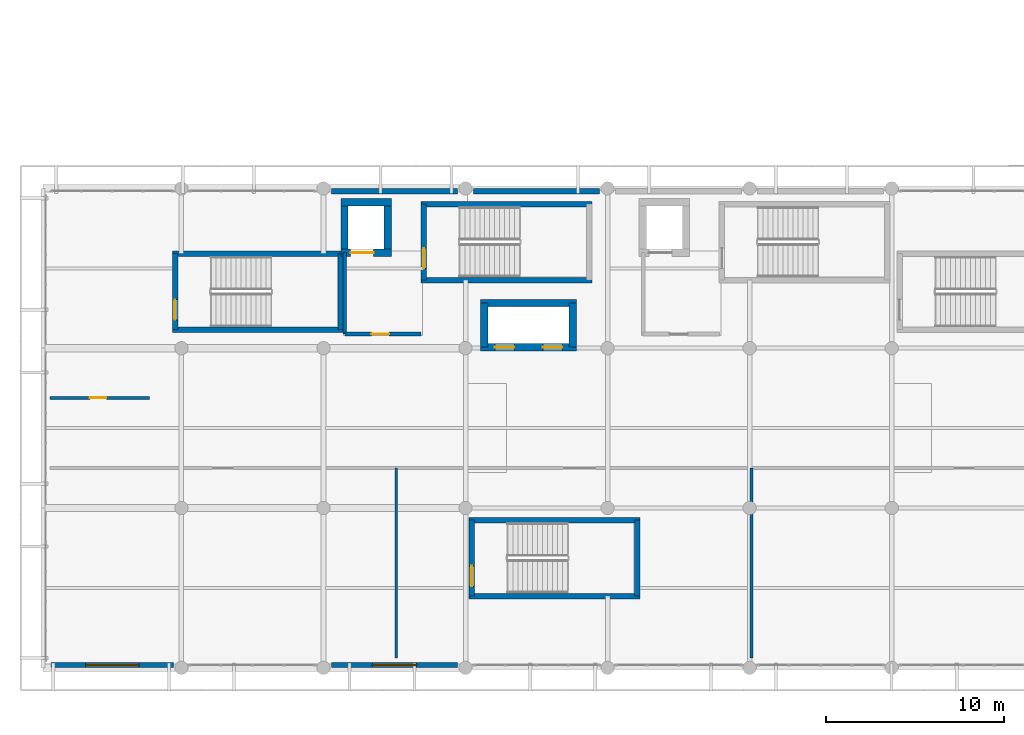
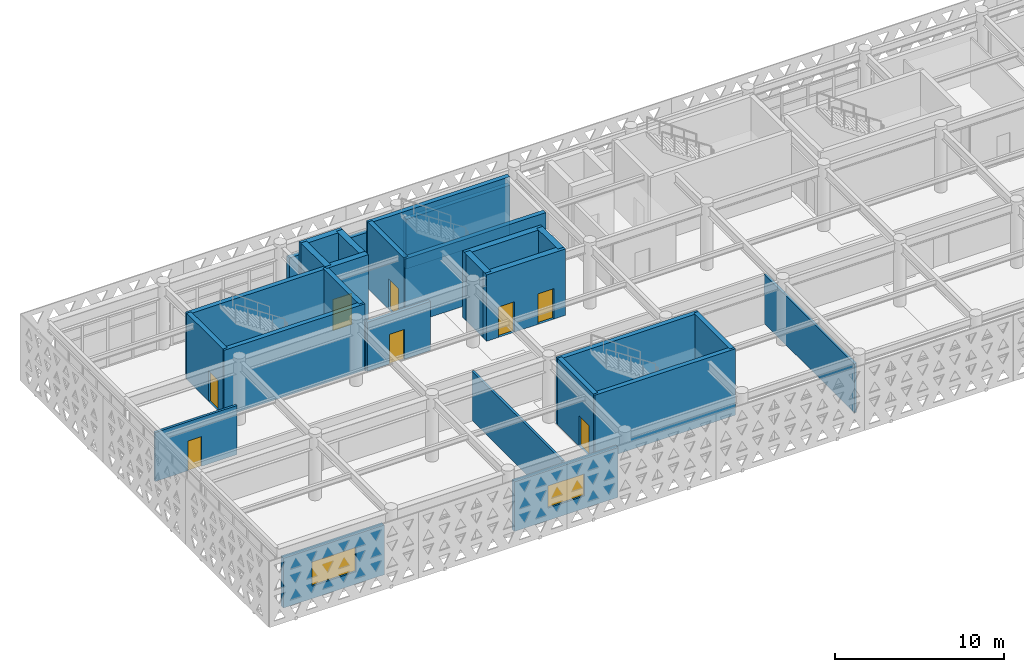
# One storey, part 21 of 33: 28 walls, 8 doors, 2 windows, 10 openings.
"""IFC4 building model written with IfcOpenShell, lengths in metres."""

from ifc_helpers import new_model, si_unit, direction, frame, frame_2d, origin, place, context, subcontext, project, spatial, rectangle, extrude, material, layer, layer_set, type_object, element, fill, save


model = new_model("IFC4")

# Units and contexts
model_context = context("Model", 3, precision=1e-05, world=origin(), true_north=direction((0.0, 1.0)))
body_context = subcontext(model_context, "Body", "Model", "MODEL_VIEW")
ifc_project = project(units=[si_unit("LENGTHUNIT", "METRE"), si_unit("AREAUNIT", "SQUARE_METRE"), si_unit("VOLUMEUNIT", "CUBIC_METRE"), si_unit("PLANEANGLEUNIT", "RADIAN"), si_unit("MASSUNIT", "GRAM", prefix="KILO")], contexts=[model_context])

# Site, building, storey
site_placement = place(None, origin())
site = spatial("IfcSite", under=ifc_project, at=site_placement, CompositionType="ELEMENT")
building_placement = place(site_placement, origin())
building = spatial("IfcBuilding", under=site, at=building_placement, Name="Tlacozan Convention Centre", CompositionType="ELEMENT")
storey_placement = place(building_placement, frame((0.0, 0.0, 16.199951171875)))
storey = spatial("IfcBuildingStorey", under=building, at=storey_placement, Name="L03", CompositionType="ELEMENT", Elevation=16.199951171875)

# Wall, opening, window
ifc_material_1 = material(Name="Volcanic Cantera Stone Masonry", Category="masonry")
ifc_layer_1 = layer(ifc_material_1, 0.300048828125)
ifc_layer_set_1 = layer_set([ifc_layer_1], Name="Volcanic Cantera Stone Masonry")
wall_type_1 = type_object("IfcWallType", Name="Congress Spandrel Backup Wall 300", PredefinedType="SOLIDWALL", material=ifc_layer_set_1)
wall_1_placement = place(storey_placement, frame((0.64990234375, 0.159912109375, 0.0), z_axis=(0.0, 0.0, 1.0), x_axis=(1.0, 0.0, 0.0)))
wall_1 = element("IfcWall", 1, at=wall_1_placement, inside=storey, type_object=wall_type_1, Name="L03 Congress Spandrel Backup Wall 300 124", PredefinedType="SOLIDWALL", context=body_context, shape_type="SweptSolid", body=[
    extrude(rectangle(XDim=6.900146484375, YDim=0.300048828125, at=frame_2d((3.4501953125, 0.0))), origin(), (0.0, 0.0, 1.0), 3.60009765625),
])
opening_1_placement = place(wall_1_placement, frame((1.949951171875, 0.0, 0.89990234375)))
opening_1 = element("IfcOpeningElement", 2, at=opening_1_placement, cuts=wall_1, Name="Opening WN-17", PredefinedType="OPENING", context=body_context, shape_type="SweptSolid", body=[
    extrude(rectangle(XDim=3.0, YDim=1.75, at=frame_2d((1.5, 0.875))), frame((0.0, 0.159912109375, 0.0), z_axis=(0.0, -1.0, 0.0), x_axis=(1.0, 0.0, 0.0)), (0.0, 0.0, 1.0), 0.320068359375),
])
ifc_material_2 = material(Name="Solar Control Double Low-E Argon Glazing", Category="glass")
window_type_1 = type_object("IfcWindowType", Name="Press Suite Acoustic Window 3000x1750", PartitioningType="SINGLE_PANEL", PredefinedType="WINDOW", material=ifc_material_2)
window_1_placement = place(opening_1_placement, origin())
window_1 = element("IfcWindow", 3, at=window_1_placement, inside=storey, type_object=window_type_1, Name="L03 Press Suite Acoustic Window 3000x1750 49", OverallHeight=1.75, OverallWidth=3.0, PartitioningType="SINGLE_PANEL", PredefinedType="WINDOW", context=body_context, shape_type="SweptSolid", body=[
    extrude(rectangle(XDim=3.0, YDim=1.75, at=frame_2d((1.5, 0.875))), frame((0.0, 0.030029296875, 0.0), z_axis=(0.0, -1.0, 0.0), x_axis=(1.0, 0.0, 0.0)), (0.0, 0.0, 1.0), 0.06005859375),
])
fill(opening_1, window_1)

wall_2_placement = place(storey_placement, frame((16.449951171875, 0.159912109375, 0.0), z_axis=(0.0, 0.0, 1.0), x_axis=(1.0, 0.0, 0.0)))
wall_2 = element("IfcWall", 4, at=wall_2_placement, inside=storey, type_object=wall_type_1, Name="L03 Congress Spandrel Backup Wall 300 125", PredefinedType="SOLIDWALL", context=body_context, shape_type="SweptSolid", body=[
    extrude(rectangle(XDim=7.10009765625, YDim=0.300048828125, at=frame_2d((3.550048828125, 0.0))), origin(), (0.0, 0.0, 1.0), 3.60009765625),
])
opening_2_placement = place(wall_2_placement, frame((2.300048828125, 0.0, 0.89990234375)))
opening_2 = element("IfcOpeningElement", 5, at=opening_2_placement, cuts=wall_2, Name="Opening WN-18", PredefinedType="OPENING", context=body_context, shape_type="SweptSolid", body=[
    extrude(rectangle(XDim=2.5, YDim=1.60009765625, at=frame_2d((1.25, 0.800048828125))), frame((0.0, 0.159912109375, 0.0), z_axis=(0.0, -1.0, 0.0), x_axis=(1.0, 0.0, 0.0)), (0.0, 0.0, 1.0), 0.320068359375),
])
window_type_2 = type_object("IfcWindowType", Name="Media Studio Acoustic Window 2500x1600", PartitioningType="SINGLE_PANEL", PredefinedType="WINDOW", material=ifc_material_2)
window_2_placement = place(opening_2_placement, origin())
window_2 = element("IfcWindow", 6, at=window_2_placement, inside=storey, type_object=window_type_2, Name="L03 Media Studio Acoustic Window 2500x1600 50", OverallHeight=1.60009765625, OverallWidth=2.5, PartitioningType="SINGLE_PANEL", PredefinedType="WINDOW", context=body_context, shape_type="SweptSolid", body=[
    extrude(rectangle(XDim=2.5, YDim=1.60009765625, at=frame_2d((1.25, 0.800048828125))), frame((0.0, 0.030029296875, 0.0), z_axis=(0.0, -1.0, 0.0), x_axis=(1.0, 0.0, 0.0)), (0.0, 0.0, 1.0), 0.06005859375),
])
fill(opening_2, window_2)

# Walls
for number, where, z_axis, x_axis, name in (
    (7, (16.449951171875, 26.840087890625, 0.0), (0.0, 0.0, 1.0), (1.0, 0.0, 0.0), "L03 Congress Spandrel Backup Wall 300 126"),
    (8, (24.449951171875, 26.840087890625, 0.0), (0.0, 0.0, 1.0), (1.0, 0.0, 0.0), "L03 Congress Spandrel Backup Wall 300 127"),
):
    element("IfcWall", number, at=place(storey_placement, frame(where, z_axis=z_axis, x_axis=x_axis)), inside=storey, type_object=wall_type_1, Name=name, PredefinedType="SOLIDWALL", context=body_context, shape_type="SweptSolid", body=[
        extrude(rectangle(XDim=7.10009765625, YDim=0.300048828125, at=frame_2d((3.550048828125, 0.0))), origin(), (0.0, 0.0, 1.0), 3.60009765625),
    ])

# Wall, opening, door
ifc_material_3 = material(Name="Concrete C40/50", Category="concrete")
ifc_layer_2 = layer(ifc_material_3, 0.409912109375)
ifc_layer_set_2 = layer_set([ifc_layer_2], Name="Concrete C40/50")
wall_type_2 = type_object("IfcWallType", Name="Core Shear Wall RC 410", PredefinedType="SHEAR", material=ifc_layer_set_2)
wall_3_placement = place(storey_placement, frame((16.97509765625, 23.3798828125, 0.0), z_axis=(0.0, 0.0, 1.0), x_axis=(1.0, 0.0, 0.0)))
wall_3 = element("IfcWall", 9, at=wall_3_placement, inside=storey, type_object=wall_type_2, Name="L03 Core Shear Wall RC 410 63", PredefinedType="SHEAR", context=body_context, shape_type="SweptSolid", body=[
    extrude(rectangle(XDim=2.849853515625, YDim=0.409912109375, at=frame_2d((1.4248046875, 0.0))), origin(), (0.0, 0.0, 1.0), 4.800048828125),
])
opening_3_placement = place(wall_3_placement, frame((0.550048828125, 0.0, 0.0)))
opening_3 = element("IfcOpeningElement", 10, at=opening_3_placement, cuts=wall_3, Name="Opening LD-02", PredefinedType="OPENING", context=body_context, shape_type="SweptSolid", body=[
    extrude(rectangle(XDim=1.300048828125, YDim=2.25, at=frame_2d((0.64990234375, 1.125))), frame((0.0, 0.21484375, 0.0), z_axis=(0.0, -1.0, 0.0), x_axis=(1.0, 0.0, 0.0)), (0.0, 0.0, 1.0), 0.429931640625),
])
ifc_material_4 = material(Name="Brushed Stainless Steel Sliding Landing Door", Category="steel")
door_type_1 = type_object("IfcDoorType", Name="Firefighting Lift Sliding Door 1300x2250", OperationType="DOUBLE_DOOR_SLIDING", PredefinedType="DOOR", material=ifc_material_4)
door_1_placement = place(opening_3_placement, origin())
door_1 = element("IfcDoor", 11, at=door_1_placement, inside=storey, type_object=door_type_1, Name="L03 Firefighting Lift FL-01 Landing Door", OperationType="DOUBLE_DOOR_SLIDING", OverallHeight=2.25, OverallWidth=1.300048828125, PredefinedType="DOOR", context=body_context, shape_type="SweptSolid", body=[
    extrude(rectangle(XDim=1.300048828125, YDim=2.25, at=frame_2d((0.64990234375, 1.125))), frame((0.0, 0.02490234375, 0.0), z_axis=(0.0, -1.0, 0.0), x_axis=(1.0, 0.0, 0.0)), (0.0, 0.0, 1.0), 0.050048828125),
])
fill(opening_3, door_1)

# Walls
wall_4_placement = place(storey_placement, frame((16.97509765625, 26.219970703125, 0.0), z_axis=(0.0, 0.0, 1.0), x_axis=(1.0, 0.0, 0.0)))
element("IfcWall", 12, at=wall_4_placement, inside=storey, type_object=wall_type_2, Name="L03 Core Shear Wall RC 410 64", PredefinedType="SHEAR", context=body_context, shape_type="SweptSolid", body=[
    extrude(rectangle(XDim=2.849853515625, YDim=0.409912109375, at=frame_2d((1.4248046875, 0.0))), origin(), (0.0, 0.0, 1.0), 4.800048828125),
])
for number, where, z_axis, x_axis, name in (
    (13, (17.179931640625, 23.3798828125, 0.0), (0.0, 0.0, 1.0), (0.0, 1.0, 0.0), "L03 Core Shear Wall RC 410 65"),
    (14, (19.6201171875, 23.3798828125, 0.0), (0.0, 0.0, 1.0), (0.0, 1.0, 0.0), "L03 Core Shear Wall RC 410 66"),
):
    element("IfcWall", number, at=place(storey_placement, frame(where, z_axis=z_axis, x_axis=x_axis)), inside=storey, type_object=wall_type_2, Name=name, PredefinedType="SHEAR", context=body_context, shape_type="SweptSolid", body=[
        extrude(rectangle(XDim=2.840087890625, YDim=0.409912109375, at=frame_2d((1.419921875, 0.0))), origin(), (0.0, 0.0, 1.0), 4.800048828125),
    ])

# Wall, openings, doors
wall_5_placement = place(storey_placement, frame((24.85498046875, 18.06005859375, 0.0), z_axis=(0.0, 0.0, 1.0), x_axis=(1.0, 0.0, 0.0)))
wall_5 = element("IfcWall", 15, at=wall_5_placement, inside=storey, type_object=wall_type_2, Name="L03 Core Shear Wall RC 410 67", PredefinedType="SHEAR", context=body_context, shape_type="SweptSolid", body=[
    extrude(rectangle(XDim=5.39013671875, YDim=0.409912109375, at=frame_2d((2.695068359375, 0.0))), origin(), (0.0, 0.0, 1.0), 4.800048828125),
])
opening_4_placement = place(wall_5_placement, frame((0.794921875, 0.0, 0.0)))
opening_4 = element("IfcOpeningElement", 16, at=opening_4_placement, cuts=wall_5, Name="Opening LD-01", PredefinedType="OPENING", context=body_context, shape_type="SweptSolid", body=[
    extrude(rectangle(XDim=1.10009765625, YDim=2.199951171875, at=frame_2d((0.550048828125, 1.10009765625))), frame((0.0, 0.21484375, 0.0), z_axis=(0.0, -1.0, 0.0), x_axis=(1.0, 0.0, 0.0)), (0.0, 0.0, 1.0), 0.429931640625),
])
opening_5_placement = place(wall_5_placement, frame((3.4951171875, 0.0, 0.0)))
opening_5 = element("IfcOpeningElement", 17, at=opening_5_placement, cuts=wall_5, Name="Opening LD-01", PredefinedType="OPENING", context=body_context, shape_type="SweptSolid", body=[
    extrude(rectangle(XDim=1.10009765625, YDim=2.199951171875, at=frame_2d((0.550048828125, 1.10009765625))), frame((0.0, 0.21484375, 0.0), z_axis=(0.0, -1.0, 0.0), x_axis=(1.0, 0.0, 0.0)), (0.0, 0.0, 1.0), 0.429931640625),
])
door_type_2 = type_object("IfcDoorType", Name="Lift Sliding Landing Door 1100x2200", OperationType="DOUBLE_DOOR_SLIDING", PredefinedType="DOOR", material=ifc_material_4)
door_2_placement = place(opening_4_placement, origin())
door_2 = element("IfcDoor", 18, at=door_2_placement, inside=storey, type_object=door_type_2, Name="L03 Lift PL-01 Landing Door", OperationType="DOUBLE_DOOR_SLIDING", OverallHeight=2.199951171875, OverallWidth=1.10009765625, PredefinedType="DOOR", context=body_context, shape_type="SweptSolid", body=[
    extrude(rectangle(XDim=1.10009765625, YDim=2.199951171875, at=frame_2d((0.550048828125, 1.10009765625))), frame((0.0, 0.02490234375, 0.0), z_axis=(0.0, -1.0, 0.0), x_axis=(1.0, 0.0, 0.0)), (0.0, 0.0, 1.0), 0.050048828125),
])
fill(opening_4, door_2)
door_3_placement = place(opening_5_placement, origin())
door_3 = element("IfcDoor", 19, at=door_3_placement, inside=storey, type_object=door_type_2, Name="L03 Lift PL-02 Landing Door", OperationType="DOUBLE_DOOR_SLIDING", OverallHeight=2.199951171875, OverallWidth=1.10009765625, PredefinedType="DOOR", context=body_context, shape_type="SweptSolid", body=[
    extrude(rectangle(XDim=1.10009765625, YDim=2.199951171875, at=frame_2d((0.550048828125, 1.10009765625))), frame((0.0, 0.02490234375, 0.0), z_axis=(0.0, -1.0, 0.0), x_axis=(1.0, 0.0, 0.0)), (0.0, 0.0, 1.0), 0.050048828125),
])
fill(opening_5, door_3)

# Walls
wall_6_placement = place(storey_placement, frame((24.85498046875, 20.5400390625, 0.0), z_axis=(0.0, 0.0, 1.0), x_axis=(1.0, 0.0, 0.0)))
element("IfcWall", 20, at=wall_6_placement, inside=storey, type_object=wall_type_2, Name="L03 Core Shear Wall RC 410 68", PredefinedType="SHEAR", context=body_context, shape_type="SweptSolid", body=[
    extrude(rectangle(XDim=5.39013671875, YDim=0.409912109375, at=frame_2d((2.695068359375, 0.0))), origin(), (0.0, 0.0, 1.0), 4.800048828125),
])
for number, where, z_axis, x_axis, name in (
    (21, (25.06005859375, 18.06005859375, 0.0), (0.0, 0.0, 1.0), (0.0, 1.0, 0.0), "L03 Core Shear Wall RC 410 69"),
    (22, (30.0400390625, 18.06005859375, 0.0), (0.0, 0.0, 1.0), (0.0, 1.0, 0.0), "L03 Core Shear Wall RC 410 70"),
):
    element("IfcWall", number, at=place(storey_placement, frame(where, z_axis=z_axis, x_axis=x_axis)), inside=storey, type_object=wall_type_2, Name=name, PredefinedType="SHEAR", context=body_context, shape_type="SweptSolid", body=[
        extrude(rectangle(XDim=2.47998046875, YDim=0.409912109375, at=frame_2d((1.239990234375, 0.0))), origin(), (0.0, 0.0, 1.0), 4.800048828125),
    ])

# Wall, opening, door
ifc_material_5 = material(Name="Fire-Rated Gypsum Stud Partition Assembly")
ifc_layer_3 = layer(ifc_material_5, 0.2099609375)
ifc_layer_set_3 = layer_set([ifc_layer_3], Name="Fire-Rated Gypsum Stud Partition Assembly")
wall_type_3 = type_object("IfcWallType", Name="Firefighting Lobby Rated Wall 210", PredefinedType="PARTITIONING", material=ifc_layer_set_3)
wall_7_placement = place(storey_placement, frame((17.199951171875, 18.800048828125, 0.0), z_axis=(0.0, 0.0, 1.0), x_axis=(1.0, 0.0, 0.0)))
wall_7 = element("IfcWall", 23, at=wall_7_placement, inside=storey, type_object=wall_type_3, Name="L03 Firefighting Lobby Rated Wall 210 61", PredefinedType="PARTITIONING", context=body_context, shape_type="SweptSolid", body=[
    extrude(rectangle(XDim=4.300048828125, YDim=0.2099609375, at=frame_2d((2.14990234375, 0.0))), origin(), (0.0, 0.0, 1.0), 3.550048828125),
])
opening_6_placement = place(wall_7_placement, frame((1.5, 0.0, 0.0)))
opening_6 = element("IfcOpeningElement", 24, at=opening_6_placement, cuts=wall_7, Name="Opening FD-01", PredefinedType="OPENING", context=body_context, shape_type="SweptSolid", body=[
    extrude(rectangle(XDim=1.0, YDim=2.14990234375, at=frame_2d((0.5, 1.074951171875))), frame((0.0, 0.114990234375, 0.0), z_axis=(0.0, -1.0, 0.0), x_axis=(1.0, 0.0, 0.0)), (0.0, 0.0, 1.0), 0.22998046875),
])
ifc_material_6 = material(Name="Fire-Rated Insulated Steel Door Leaf", Category="steel")
door_type_3 = type_object("IfcDoorType", Name="Fire Door Single 1000x2150 FD90", OperationType="NOTDEFINED", PredefinedType="DOOR", material=ifc_material_6)
door_4_placement = place(opening_6_placement, origin())
door_4 = element("IfcDoor", 25, at=door_4_placement, inside=storey, type_object=door_type_3, Name="L03 CORE-1 Firefighting Lobby Entry Door", OperationType="SINGLE_SWING_LEFT", OverallHeight=2.14990234375, OverallWidth=1.0, PredefinedType="DOOR", context=body_context, shape_type="SweptSolid", body=[
    extrude(rectangle(XDim=1.0, YDim=2.14990234375, at=frame_2d((0.5, 1.074951171875))), frame((0.0, 0.02490234375, 0.0), z_axis=(0.0, -1.0, 0.0), x_axis=(1.0, 0.0, 0.0)), (0.0, 0.0, 1.0), 0.050048828125),
])
fill(opening_6, door_4)

# Walls
wall_8_placement = place(storey_placement, frame((17.199951171875, 18.800048828125, 0.0), z_axis=(0.0, 0.0, 1.0), x_axis=(0.0, 1.0, 0.0)))
element("IfcWall", 26, at=wall_8_placement, inside=storey, type_object=wall_type_3, Name="L03 Firefighting Lobby Rated Wall 210 62", PredefinedType="PARTITIONING", context=body_context, shape_type="SweptSolid", body=[
    extrude(rectangle(XDim=4.599853515625, YDim=0.2099609375, at=frame_2d((2.2998046875, 0.0))), origin(), (0.0, 0.0, 1.0), 3.550048828125),
])
ifc_material_7 = material(Name="Acoustic Double-Stud Partition Assembly")
ifc_layer_4 = layer(ifc_material_7, 0.159912109375)
ifc_layer_set_4 = layer_set([ifc_layer_4], Name="Acoustic Double-Stud Partition Assembly")
wall_type_4 = type_object("IfcWallType", Name="Meeting Acoustic Partition 160", PredefinedType="PARTITIONING", material=ifc_layer_set_4)
for number, where, z_axis, x_axis, name in (
    (27, (20.10009765625, 0.550048828125, 0.0), (0.0, 0.0, 1.0), (0.0, 1.0, 0.0), "L03 Meeting Acoustic Partition 160 602"),
    (28, (40.10009765625, 0.550048828125, 0.0), (0.0, 0.0, 1.0), (0.0, 1.0, 0.0), "L03 Meeting Acoustic Partition 160 603"),
):
    element("IfcWall", number, at=place(storey_placement, frame(where, z_axis=z_axis, x_axis=x_axis)), inside=storey, type_object=wall_type_4, Name=name, PredefinedType="PARTITIONING", context=body_context, shape_type="SweptSolid", body=[
        extrude(rectangle(XDim=10.699951171875, YDim=0.159912109375, at=frame_2d((5.35009765625, 0.0))), origin(), (0.0, 0.0, 1.0), 3.550048828125),
    ])

# Wall, opening, door
wall_9_placement = place(storey_placement, frame((0.60009765625, 15.199951171875, 0.0), z_axis=(0.0, 0.0, 1.0), x_axis=(1.0, 0.0, 0.0)))
wall_9 = element("IfcWall", 29, at=wall_9_placement, inside=storey, type_object=wall_type_4, Name="L03 Meeting Acoustic Partition 160 607", PredefinedType="PARTITIONING", context=body_context, shape_type="SweptSolid", body=[
    extrude(rectangle(XDim=5.599853515625, YDim=0.159912109375, at=frame_2d((2.7998046875, 0.0))), origin(), (0.0, 0.0, 1.0), 3.550048828125),
])
opening_7_placement = place(wall_9_placement, frame((2.25, 0.0, 0.0)))
opening_7 = element("IfcOpeningElement", 30, at=opening_7_placement, cuts=wall_9, Name="Opening ID-14", PredefinedType="OPENING", context=body_context, shape_type="SweptSolid", body=[
    extrude(rectangle(XDim=0.919921875, YDim=2.14990234375, at=frame_2d((0.4599609375, 1.074951171875))), frame((0.0, 0.08984375, 0.0), z_axis=(0.0, -1.0, 0.0), x_axis=(1.0, 0.0, 0.0)), (0.0, 0.0, 1.0), 0.179931640625),
])
ifc_material_8 = material(Name="Acoustic Solid-Core Oak Veneer Door")
door_type_4 = type_object("IfcDoorType", Name="Interpretation Booth Door 920x2150", OperationType="NOTDEFINED", PredefinedType="DOOR", material=ifc_material_8)
door_5_placement = place(opening_7_placement, origin())
door_5 = element("IfcDoor", 31, at=door_5_placement, inside=storey, type_object=door_type_4, Name="L03 Interpretation Booth Door 920x2150 201", OperationType="SINGLE_SWING_RIGHT", OverallHeight=2.14990234375, OverallWidth=0.919921875, PredefinedType="DOOR", context=body_context, shape_type="SweptSolid", body=[
    extrude(rectangle(XDim=0.919921875, YDim=2.14990234375, at=frame_2d((0.4599609375, 1.074951171875))), frame((0.0, 0.02490234375, 0.0), z_axis=(0.0, -1.0, 0.0), x_axis=(1.0, 0.0, 0.0)), (0.0, 0.0, 1.0), 0.050048828125),
])
fill(opening_7, door_5)

# Walls
ifc_layer_5 = layer(ifc_material_3, 0.31005859375)
ifc_layer_set_5 = layer_set([ifc_layer_5], Name="Concrete C40/50")
wall_type_5 = type_object("IfcWallType", Name="Stair Shaft Shear Wall RC 310", PredefinedType="SHEAR", material=ifc_layer_set_5)
for number, where, z_axis, x_axis, name in (
    (32, (21.485107421875, 21.840087890625, 0.0), (0.0, 0.0, 1.0), (1.0, 0.0, 0.0), "L03 Stair Shaft Shear Wall RC 310 57"),
    (33, (21.485107421875, 26.1201171875, 0.0), (0.0, 0.0, 1.0), (1.0, 0.0, 0.0), "L03 Stair Shaft Shear Wall RC 310 58"),
):
    element("IfcWall", number, at=place(storey_placement, frame(where, z_axis=z_axis, x_axis=x_axis)), inside=storey, type_object=wall_type_5, Name=name, PredefinedType="SHEAR", context=body_context, shape_type="SweptSolid", body=[
        extrude(rectangle(XDim=9.6298828125, YDim=0.31005859375, at=frame_2d((4.81494140625, 0.0))), origin(), (0.0, 0.0, 1.0), 4.800048828125),
    ])

# Wall, opening, door
wall_10_placement = place(storey_placement, frame((21.639892578125, 21.840087890625, 0.0), z_axis=(0.0, 0.0, 1.0), x_axis=(0.0, 1.0, 0.0)))
wall_10 = element("IfcWall", 34, at=wall_10_placement, inside=storey, type_object=wall_type_5, Name="L03 Stair Shaft Shear Wall RC 310 59", PredefinedType="SHEAR", context=body_context, shape_type="SweptSolid", body=[
    extrude(rectangle(XDim=4.280029296875, YDim=0.31005859375, at=frame_2d((2.14013671875, 0.0))), origin(), (0.0, 0.0, 1.0), 4.800048828125),
])
opening_8_placement = place(wall_10_placement, frame((0.64990234375, 0.0, 0.0)))
opening_8 = element("IfcOpeningElement", 35, at=opening_8_placement, cuts=wall_10, Name="Opening FD-02", PredefinedType="OPENING", context=body_context, shape_type="SweptSolid", body=[
    extrude(rectangle(XDim=1.14990234375, YDim=2.199951171875, at=frame_2d((0.574951171875, 1.10009765625))), frame((0.0, 0.1650390625, 0.0), z_axis=(0.0, -1.0, 0.0), x_axis=(1.0, 0.0, 0.0)), (0.0, 0.0, 1.0), 0.330078125),
])
door_type_5 = type_object("IfcDoorType", Name="Fire Door Stair 1150x2200 FD90", OperationType="NOTDEFINED", PredefinedType="DOOR", material=ifc_material_6)
door_6_placement = place(opening_8_placement, origin())
door_6 = element("IfcDoor", 36, at=door_6_placement, inside=storey, type_object=door_type_5, Name="L03 Stair ST-01 Fire Door", OperationType="SINGLE_SWING_RIGHT", OverallHeight=2.199951171875, OverallWidth=1.14990234375, PredefinedType="DOOR", context=body_context, shape_type="SweptSolid", body=[
    extrude(rectangle(XDim=1.14990234375, YDim=2.199951171875, at=frame_2d((0.574951171875, 1.10009765625))), frame((0.0, 0.02490234375, 0.0), z_axis=(0.0, -1.0, 0.0), x_axis=(1.0, 0.0, 0.0)), (0.0, 0.0, 1.0), 0.050048828125),
])
fill(opening_8, door_6)

# Walls
for number, where, z_axis, x_axis, name in (
    (37, (7.485107421875, 19.0400390625, 0.0), (0.0, 0.0, 1.0), (1.0, 0.0, 0.0), "L03 Stair Shaft Shear Wall RC 310 301"),
    (38, (7.485107421875, 23.320068359375, 0.0), (0.0, 0.0, 1.0), (1.0, 0.0, 0.0), "L03 Stair Shaft Shear Wall RC 310 302"),
):
    element("IfcWall", number, at=place(storey_placement, frame(where, z_axis=z_axis, x_axis=x_axis)), inside=storey, type_object=wall_type_5, Name=name, PredefinedType="SHEAR", context=body_context, shape_type="SweptSolid", body=[
        extrude(rectangle(XDim=9.6298828125, YDim=0.31005859375, at=frame_2d((4.81494140625, 0.0))), origin(), (0.0, 0.0, 1.0), 4.800048828125),
    ])

# Wall, opening, door
wall_11_placement = place(storey_placement, frame((7.639892578125, 19.0400390625, 0.0), z_axis=(0.0, 0.0, 1.0), x_axis=(0.0, 1.0, 0.0)))
wall_11 = element("IfcWall", 39, at=wall_11_placement, inside=storey, type_object=wall_type_5, Name="L03 Stair Shaft Shear Wall RC 310 303", PredefinedType="SHEAR", context=body_context, shape_type="SweptSolid", body=[
    extrude(rectangle(XDim=4.280029296875, YDim=0.31005859375, at=frame_2d((2.14013671875, 0.0))), origin(), (0.0, 0.0, 1.0), 4.800048828125),
])
opening_9_placement = place(wall_11_placement, frame((0.550048828125, 0.0, 0.0)))
opening_9 = element("IfcOpeningElement", 40, at=opening_9_placement, cuts=wall_11, Name="Opening FD-02", PredefinedType="OPENING", context=body_context, shape_type="SweptSolid", body=[
    extrude(rectangle(XDim=1.14990234375, YDim=2.199951171875, at=frame_2d((0.574951171875, 1.10009765625))), frame((0.0, 0.1650390625, 0.0), z_axis=(0.0, -1.0, 0.0), x_axis=(1.0, 0.0, 0.0)), (0.0, 0.0, 1.0), 0.330078125),
])
door_7_placement = place(opening_9_placement, origin())
door_7 = element("IfcDoor", 41, at=door_7_placement, inside=storey, type_object=door_type_5, Name="L03 Stair ST-13 Access Door", OperationType="SINGLE_SWING_RIGHT", OverallHeight=2.199951171875, OverallWidth=1.14990234375, PredefinedType="DOOR", context=body_context, shape_type="SweptSolid", body=[
    extrude(rectangle(XDim=1.14990234375, YDim=2.199951171875, at=frame_2d((0.574951171875, 1.10009765625))), frame((0.0, 0.02490234375, 0.0), z_axis=(0.0, -1.0, 0.0), x_axis=(1.0, 0.0, 0.0)), (0.0, 0.0, 1.0), 0.050048828125),
])
fill(opening_9, door_7)

# Walls
wall_12_placement = place(storey_placement, frame((16.9599609375, 19.0400390625, 0.0), z_axis=(0.0, 0.0, 1.0), x_axis=(0.0, 1.0, 0.0)))
element("IfcWall", 42, at=wall_12_placement, inside=storey, type_object=wall_type_5, Name="L03 Stair Shaft Shear Wall RC 310 304", PredefinedType="SHEAR", context=body_context, shape_type="SweptSolid", body=[
    extrude(rectangle(XDim=4.280029296875, YDim=0.31005859375, at=frame_2d((2.14013671875, 0.0))), origin(), (0.0, 0.0, 1.0), 4.800048828125),
])
for number, where, z_axis, x_axis, name in (
    (43, (24.18505859375, 4.0400390625, 0.0), (0.0, 0.0, 1.0), (1.0, 0.0, 0.0), "L03 Stair Shaft Shear Wall RC 310 369"),
    (44, (24.18505859375, 8.320068359375, 0.0), (0.0, 0.0, 1.0), (1.0, 0.0, 0.0), "L03 Stair Shaft Shear Wall RC 310 370"),
):
    element("IfcWall", number, at=place(storey_placement, frame(where, z_axis=z_axis, x_axis=x_axis)), inside=storey, type_object=wall_type_5, Name=name, PredefinedType="SHEAR", context=body_context, shape_type="SweptSolid", body=[
        extrude(rectangle(XDim=9.6298828125, YDim=0.31005859375, at=frame_2d((4.81494140625, 0.0))), origin(), (0.0, 0.0, 1.0), 4.800048828125),
    ])

# Wall, opening, door
wall_13_placement = place(storey_placement, frame((24.340087890625, 4.0400390625, 0.0), z_axis=(0.0, 0.0, 1.0), x_axis=(0.0, 1.0, 0.0)))
wall_13 = element("IfcWall", 45, at=wall_13_placement, inside=storey, type_object=wall_type_5, Name="L03 Stair Shaft Shear Wall RC 310 371", PredefinedType="SHEAR", context=body_context, shape_type="SweptSolid", body=[
    extrude(rectangle(XDim=4.280029296875, YDim=0.31005859375, at=frame_2d((2.14013671875, 0.0))), origin(), (0.0, 0.0, 1.0), 4.800048828125),
])
opening_10_placement = place(wall_13_placement, frame((0.550048828125, 0.0, 0.0)))
opening_10 = element("IfcOpeningElement", 46, at=opening_10_placement, cuts=wall_13, Name="Opening FD-02", PredefinedType="OPENING", context=body_context, shape_type="SweptSolid", body=[
    extrude(rectangle(XDim=1.14990234375, YDim=2.199951171875, at=frame_2d((0.574951171875, 1.10009765625))), frame((0.0, 0.1650390625, 0.0), z_axis=(0.0, -1.0, 0.0), x_axis=(1.0, 0.0, 0.0)), (0.0, 0.0, 1.0), 0.330078125),
])
door_8_placement = place(opening_10_placement, origin())
door_8 = element("IfcDoor", 47, at=door_8_placement, inside=storey, type_object=door_type_5, Name="L03 Stair ST-16 Access Door", OperationType="SINGLE_SWING_LEFT", OverallHeight=2.199951171875, OverallWidth=1.14990234375, PredefinedType="DOOR", context=body_context, shape_type="SweptSolid", body=[
    extrude(rectangle(XDim=1.14990234375, YDim=2.199951171875, at=frame_2d((0.574951171875, 1.10009765625))), frame((0.0, 0.02490234375, 0.0), z_axis=(0.0, -1.0, 0.0), x_axis=(1.0, 0.0, 0.0)), (0.0, 0.0, 1.0), 0.050048828125),
])
fill(opening_10, door_8)

# Wall
wall_14_placement = place(storey_placement, frame((33.659912109375, 4.0400390625, 0.0), z_axis=(0.0, 0.0, 1.0), x_axis=(0.0, 1.0, 0.0)))
element("IfcWall", 48, at=wall_14_placement, inside=storey, type_object=wall_type_5, Name="L03 Stair Shaft Shear Wall RC 310 372", PredefinedType="SHEAR", context=body_context, shape_type="SweptSolid", body=[
    extrude(rectangle(XDim=4.280029296875, YDim=0.31005859375, at=frame_2d((2.14013671875, 0.0))), origin(), (0.0, 0.0, 1.0), 4.800048828125),
])

save(model, "model.ifc")
